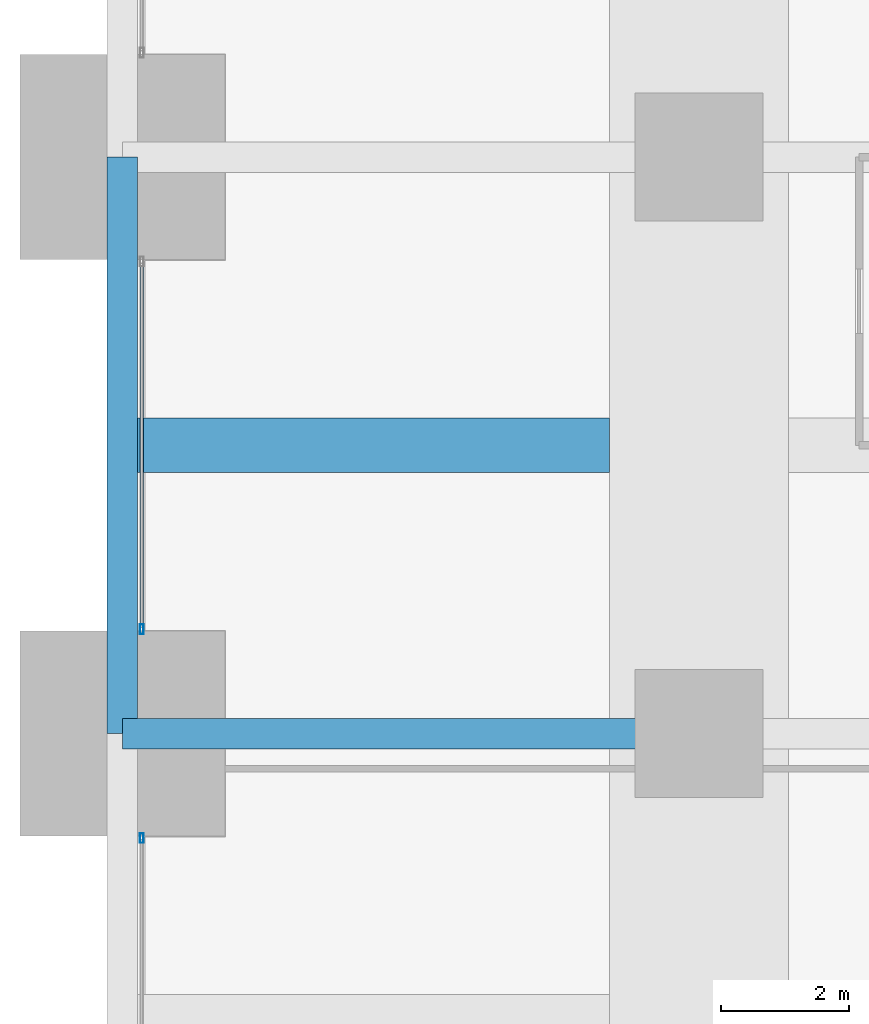
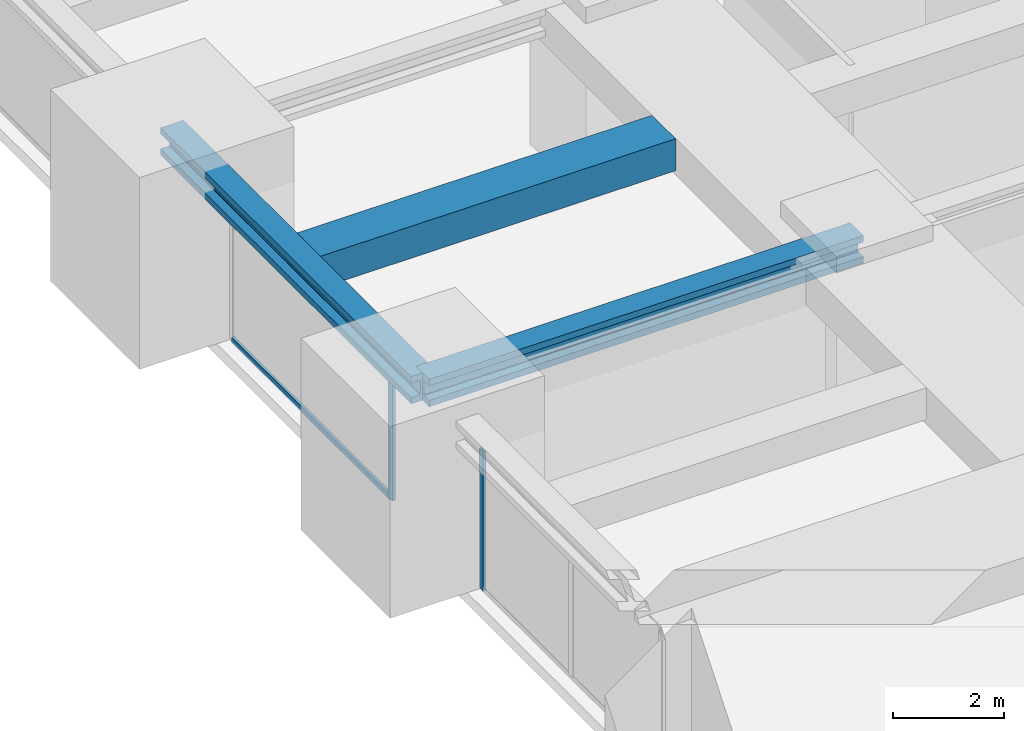
# One storey, part 10 of 45: 3 beams, 3 members, 2 elements without a shape of their own.
"""IFC4 building model written with IfcOpenShell, lengths in metres."""

from ifc_helpers import new_model, si_unit, direction, frame, origin, origin_2d, place, context, subcontext, project, spatial, rectangle, hollow_rectangle, i_section, extrude, material, material_profile, profile_set, type_object, element, aggregate, save


model = new_model("IFC4")

# Units and contexts
model_context = context("Model", 3, precision=1e-05, world=origin(), true_north=direction((0.0, 1.0)))
body_context = subcontext(model_context, "Body", "Model", "MODEL_VIEW")
ifc_project = project(units=[si_unit("LENGTHUNIT", "METRE"), si_unit("AREAUNIT", "SQUARE_METRE"), si_unit("VOLUMEUNIT", "CUBIC_METRE"), si_unit("PLANEANGLEUNIT", "RADIAN"), si_unit("MASSUNIT", "GRAM", prefix="KILO")], contexts=[model_context])

# Site, building, storey
site_placement = place(None, origin())
site = spatial("IfcSite", under=ifc_project, at=site_placement, CompositionType="ELEMENT")
building_placement = place(site_placement, origin())
building = spatial("IfcBuilding", under=site, at=building_placement, Name="Zorevar Civic Tower", CompositionType="ELEMENT")
storey_placement = place(building_placement, frame((0.0, 0.0, 153.0)))
storey = spatial("IfcBuildingStorey", under=building, at=storey_placement, Name="L37", CompositionType="ELEMENT", Elevation=153.0)

# Beams
ifc_material_1 = material(Name="Concrete C50/60", Category="concrete")
ifc_material_profile_1 = material_profile(ifc_material_1, rectangle(XDim=0.85009765625, YDim=0.699951171875, at=origin_2d()), Name="RC 850x700")
ifc_profile_set_1 = profile_set([ifc_material_profile_1], Name="Concrete C50/60")
beam_type_1 = type_object("IfcBeamType", Name="Beam RC 850x700", PredefinedType="BEAM", material=ifc_profile_set_1)
beam_1_placement = place(storey_placement, frame((0.238037109375, 22.5, 3.5), z_axis=(1.0, 0.0, 0.0), x_axis=(0.0, 1.0, 0.0)))
element("IfcBeam", 1, at=beam_1_placement, inside=storey, type_object=beam_type_1, Name="Secondary beam L38", PredefinedType="BEAM", context=body_context, shape_type="SweptSolid", body=[
    extrude(rectangle(XDim=0.85009765625, YDim=0.699951171875, at=origin_2d()), origin(), (0.0, 0.0, 1.0), 7.362060546875),
])
ifc_material_2 = material(Name="Steel S460M (HISTAR 460)", Category="steel")
ifc_material_profile_2 = material_profile(ifc_material_2, i_section(OverallWidth=0.47607421875, OverallDepth=0.60009765625, WebThickness=0.10009765625, FlangeThickness=0.139892578125, FilletRadius=0.014892578125, at=origin_2d()), Name="HD 400x1299")
ifc_profile_set_2 = profile_set([ifc_material_profile_2], Name="Steel S460M (HISTAR 460)")
beam_type_2 = type_object("IfcBeamType", Name="Belt chord HD 400x1299", PredefinedType="BEAM", material=ifc_profile_set_2)
beam_2_placement = place(storey_placement, frame((0.0, 18.0, 3.550048828125), z_axis=(0.0, 1.0, 0.0), x_axis=(-1.0, 0.0, 0.0)))
element("IfcBeam", 2, at=beam_2_placement, inside=storey, type_object=beam_type_2, Name="Belt chord L38", PredefinedType="BEAM", context=body_context, shape_type="SweptSolid", body=[
    extrude(i_section(OverallWidth=0.47607421875, OverallDepth=0.60009765625, WebThickness=0.10009765625, FlangeThickness=0.139892578125, FilletRadius=0.014892578125, at=origin_2d()), origin(), (0.0, 0.0, 1.0), 9.0),
])

# Curtain wall, member
ifc_material_3 = material(Name="Dark grey solar-control glass in black aluminium frame", Category="aluminium")
curtain_wall_type = type_object("IfcCurtainWallType", Name="Curtain wall CW3 mid zone", PredefinedType="NOTDEFINED", material=ifc_material_3)
curtain_wall_1_placement = place(storey_placement, origin())
curtain_wall_1 = element("IfcCurtainWall", 3, at=curtain_wall_1_placement, inside=storey, type_object=curtain_wall_type, Name="CW3 L37", PredefinedType="NOTDEFINED")
ifc_material_4 = material(Name="Aluminium, black anodised", Category="aluminium")
ifc_material_profile_3 = material_profile(ifc_material_4, hollow_rectangle(XDim=0.06005859375, YDim=0.14990234375, WallThickness=0.00390625, at=origin_2d()), Name="AL 150x60x4")
ifc_profile_set_3 = profile_set([ifc_material_profile_3], Name="Aluminium, black anodised")
member_type_1 = type_object("IfcMemberType", Name="CW3 mullion AL 150x60x4", PredefinedType="MULLION", material=ifc_profile_set_3)
member_1_placement = place(storey_placement, frame((0.300048828125, 16.3701171875, 0.0), z_axis=(0.0, 0.0, 1.0), x_axis=(-1.0, 0.0, 0.0)))
member_1 = element("IfcMember", 4, at=member_1_placement, type_object=member_type_1, Name="CW3 mullion 3", PredefinedType="MULLION", context=body_context, shape_type="SweptSolid", body=[
    extrude(hollow_rectangle(XDim=0.06005859375, YDim=0.14990234375, WallThickness=0.00390625, at=origin_2d()), origin(), (0.0, 0.0, 1.0), 3.050048828125),
])
aggregate(curtain_wall_1, [member_1])

# Curtain wall, members
curtain_wall_2_placement = place(storey_placement, origin())
curtain_wall_2 = element("IfcCurtainWall", 5, at=curtain_wall_2_placement, inside=storey, type_object=curtain_wall_type, Name="CW3 L37", PredefinedType="NOTDEFINED")
member_2_placement = place(storey_placement, frame((0.300048828125, 19.6298828125, 0.0), z_axis=(0.0, 0.0, 1.0), x_axis=(-1.0, 0.0, 0.0)))
member_2 = element("IfcMember", 6, at=member_2_placement, type_object=member_type_1, Name="CW3 mullion 1", PredefinedType="MULLION", context=body_context, shape_type="SweptSolid", body=[
    extrude(hollow_rectangle(XDim=0.06005859375, YDim=0.14990234375, WallThickness=0.00390625, at=origin_2d()), origin(), (0.0, 0.0, 1.0), 3.050048828125),
])
ifc_material_5 = material(Name="Aluminium, black anodised", Category="aluminium")
ifc_material_profile_4 = material_profile(ifc_material_5, hollow_rectangle(XDim=0.06005859375, YDim=0.1201171875, WallThickness=0.0029296875, at=origin_2d()), Name="AL 120x60x3")
ifc_profile_set_4 = profile_set([ifc_material_profile_4], Name="Aluminium, black anodised")
member_type_2 = type_object("IfcMemberType", Name="CW3 transom AL 120x60x3", PredefinedType="USERDEFINED", material=ifc_profile_set_4)
member_3_placement = place(storey_placement, frame((0.300048828125, 19.659912109375, 0.030029296875), z_axis=(0.0, 1.0, 0.0), x_axis=(-1.0, 0.0, 0.0)))
member_3 = element("IfcMember", 7, at=member_3_placement, type_object=member_type_2, Name="CW3 sill transom", ObjectType="TRANSOM", PredefinedType="USERDEFINED", context=body_context, shape_type="SweptSolid", body=[
    extrude(hollow_rectangle(XDim=0.06005859375, YDim=0.1201171875, WallThickness=0.0029296875, at=origin_2d()), origin(), (0.0, 0.0, 1.0), 5.68017578125),
])
aggregate(curtain_wall_2, [member_2, member_3])

# Beam
ifc_material_6 = material(Name="Steel S460M (HISTAR 460)", Category="steel")
ifc_material_profile_5 = material_profile(ifc_material_6, i_section(OverallWidth=0.47607421875, OverallDepth=0.60009765625, WebThickness=0.10009765625, FlangeThickness=0.139892578125, FilletRadius=0.014892578125, at=origin_2d()), Name="HD 400x1299")
ifc_profile_set_5 = profile_set([ifc_material_profile_5], Name="Steel S460M (HISTAR 460)")
beam_type_3 = type_object("IfcBeamType", Name="Outrigger chord HD 400x1299", PredefinedType="BEAM", material=ifc_profile_set_5)
beam_3_placement = place(storey_placement, frame((0.0, 18.0, 3.550048828125), z_axis=(1.0, 0.0, 0.0), x_axis=(0.0, 1.0, 0.0)))
element("IfcBeam", 8, at=beam_3_placement, inside=storey, type_object=beam_type_3, Name="Outrigger chord L38", PredefinedType="BEAM", context=body_context, shape_type="SweptSolid", body=[
    extrude(i_section(OverallWidth=0.47607421875, OverallDepth=0.60009765625, WebThickness=0.10009765625, FlangeThickness=0.139892578125, FilletRadius=0.014892578125, at=origin_2d()), origin(), (0.0, 0.0, 1.0), 9.0),
])

save(model, "model.ifc")
